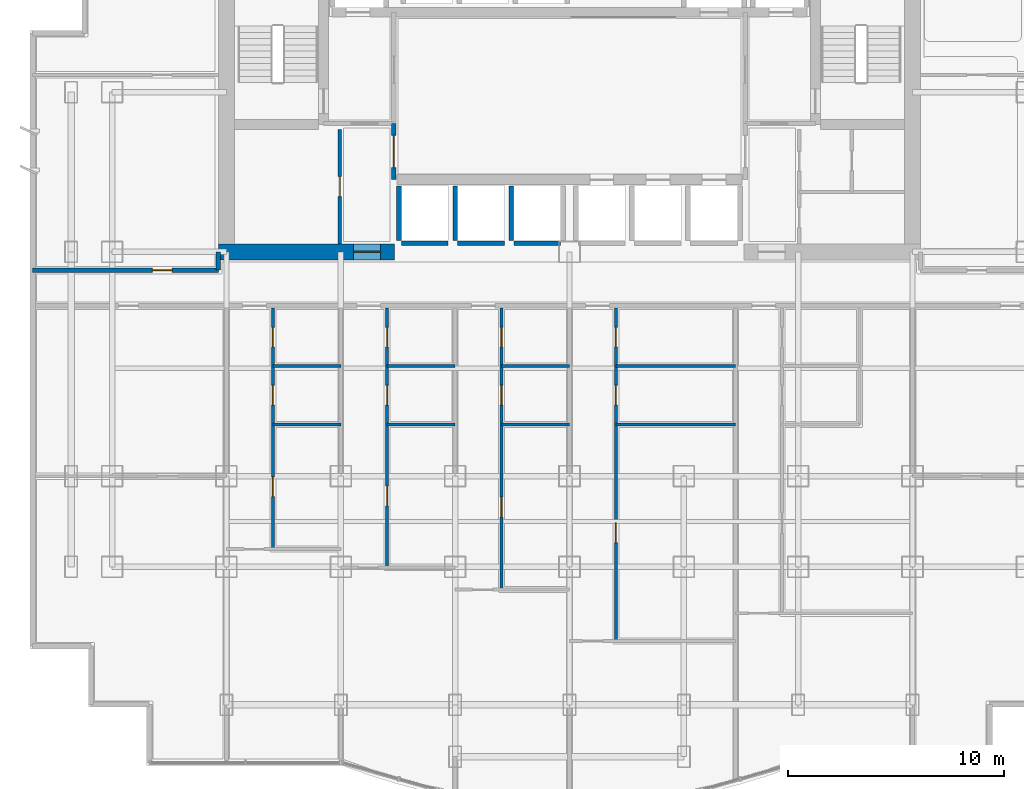
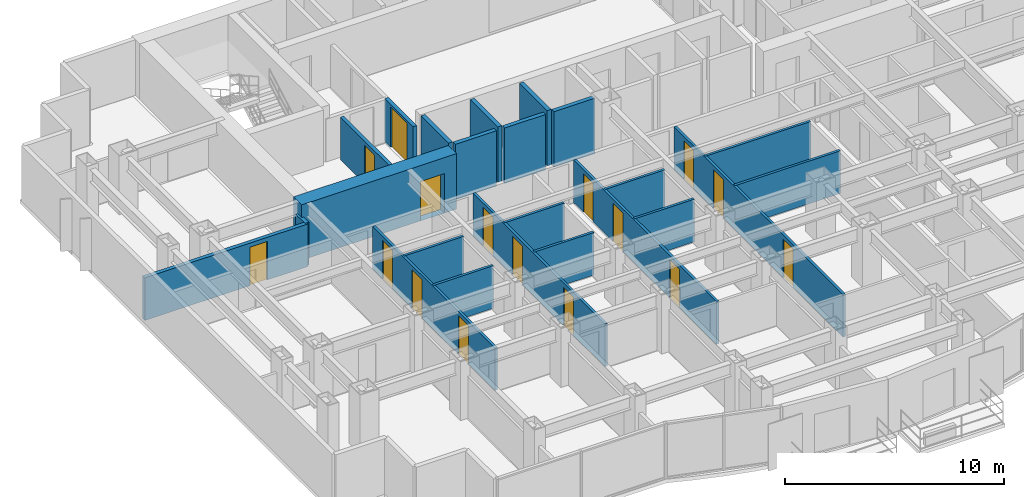
# One storey, part 7 of 12: 23 walls, 16 doors, 16 openings.
"""IFC4 building model written with IfcOpenShell, lengths in metres."""

from ifc_helpers import new_model, si_unit, direction, frame, frame_2d, origin, place, context, subcontext, project, spatial, rectangle, extrude, material, layer, layer_set, type_object, element, fill, save


model = new_model("IFC4")

# Units and contexts
model_context = context("Model", 3, precision=1e-05, world=origin(), true_north=direction((0.0, 1.0)))
body_context = subcontext(model_context, "Body", "Model", "MODEL_VIEW")
ifc_project = project(units=[si_unit("LENGTHUNIT", "METRE"), si_unit("AREAUNIT", "SQUARE_METRE"), si_unit("VOLUMEUNIT", "CUBIC_METRE"), si_unit("PLANEANGLEUNIT", "RADIAN"), si_unit("MASSUNIT", "GRAM", prefix="KILO")], contexts=[model_context])

# Site, building, storey
site_placement = place(None, origin())
site = spatial("IfcSite", under=ifc_project, at=site_placement, CompositionType="ELEMENT")
building_placement = place(site_placement, origin())
building = spatial("IfcBuilding", under=site, at=building_placement, Name="Qianlan Lanfeng Residences", CompositionType="ELEMENT")
storey_placement = place(building_placement, frame((0.0, 0.0, 81.699951171875)))
storey = spatial("IfcBuildingStorey", under=building, at=storey_placement, Name="L21", CompositionType="ELEMENT", Elevation=81.699951171875)

# Wall, opening, door
ifc_material_1 = material(Name="Concrete C60", Category="concrete")
ifc_layer_1 = layer(ifc_material_1, 0.75)
ifc_layer_set_1 = layer_set([ifc_layer_1], Name="Concrete C60")
wall_type_1 = type_object("IfcWallType", Name="CW-RC-750", PredefinedType="SHEAR", material=ifc_layer_set_1)
wall_1_placement = place(storey_placement, frame((10.22509765625, 25.199951171875, 0.0), z_axis=(0.0, 0.0, 1.0), x_axis=(1.0, 0.0, 0.0)))
wall_1 = element("IfcWall", 1, at=wall_1_placement, inside=storey, type_object=wall_type_1, Name="L21 Core Shear Wall SW", PredefinedType="SHEAR", context=body_context, shape_type="SweptSolid", body=[
    extrude(rectangle(XDim=8.1748046875, YDim=0.75, at=frame_2d((4.08740234375, 0.0))), origin(), (0.0, 0.0, 1.0), 3.090087890625),
])
opening_1_placement = place(wall_1_placement, frame((6.27490234375, 0.0, 0.0)))
opening_1 = element("IfcOpeningElement", 2, at=opening_1_placement, cuts=wall_1, Name="Opening L21-D01", PredefinedType="OPENING", context=body_context, shape_type="SweptSolid", body=[
    extrude(rectangle(XDim=1.25, YDim=2.199951171875, at=frame_2d((0.625, 1.10009765625))), frame((0.0, 0.385009765625, 0.0), z_axis=(0.0, -1.0, 0.0), x_axis=(1.0, 0.0, 0.0)), (0.0, 0.0, 1.0), 0.77001953125),
])
ifc_material_2 = material(Name="Painted Galvanised Steel Fire Door", Category="steel")
door_type_1 = type_object("IfcDoorType", Name="DT-FFL", OperationType="NOTDEFINED", PredefinedType="DOOR", material=ifc_material_2)
door_1_placement = place(opening_1_placement, frame((1.25, 0.0, 0.0), z_axis=(0.0, 0.0, 1.0), x_axis=(-1.0, 0.0, 0.0)))
door_1 = element("IfcDoor", 3, at=door_1_placement, inside=storey, type_object=door_type_1, Name="L21 West Core Lobby Smoke Door L21-D01 (DT-FFL)", OperationType="SINGLE_SWING_RIGHT", OverallHeight=2.199951171875, OverallWidth=1.25, PredefinedType="DOOR", context=body_context, shape_type="SweptSolid", body=[
    extrude(rectangle(XDim=1.25, YDim=2.199951171875, at=frame_2d((0.625, 1.10009765625))), frame((0.0, 0.02490234375, 0.0), z_axis=(0.0, -1.0, 0.0), x_axis=(1.0, 0.0, 0.0)), (0.0, 0.0, 1.0), 0.050048828125),
])
fill(opening_1, door_1)

# Wall, openings, doors
ifc_material_3 = material(Name="Moisture-Resistant Gypsum Partition 135 mm")
ifc_layer_2 = layer(ifc_material_3, 0.135009765625)
ifc_layer_set_2 = layer_set([ifc_layer_2], Name="Moisture-Resistant Gypsum Partition 135 mm")
wall_type_2 = type_object("IfcWallType", Name="PW-135", PredefinedType="PARTITIONING", material=ifc_layer_set_2)
wall_2_placement = place(storey_placement, frame((12.75, 11.419921875, 0.0), z_axis=(0.0, 0.0, 1.0), x_axis=(0.0, 1.0, 0.0)))
wall_2 = element("IfcWall", 4, at=wall_2_placement, inside=storey, type_object=wall_type_2, Name="L21 U01 Entry Hall Spine", PredefinedType="PARTITIONING", context=body_context, shape_type="SweptSolid", body=[
    extrude(rectangle(XDim=11.18017578125, YDim=0.135009765625, at=frame_2d((5.590087890625, 0.0))), origin(), (0.0, 0.0, 1.0), 2.380126953125),
])
opening_2_placement = place(wall_2_placement, frame((2.429931640625, 0.0, 0.0)))
opening_2 = element("IfcOpeningElement", 5, at=opening_2_placement, cuts=wall_2, Name="Opening L21-D17", PredefinedType="OPENING", context=body_context, shape_type="SweptSolid", body=[
    extrude(rectangle(XDim=0.919921875, YDim=2.14990234375, at=frame_2d((0.4599609375, 1.074951171875))), frame((0.0, 0.07763671875, 0.0), z_axis=(0.0, -1.0, 0.0), x_axis=(1.0, 0.0, 0.0)), (0.0, 0.0, 1.0), 0.155029296875),
])
opening_3_placement = place(wall_2_placement, frame((6.669921875, 0.0, 0.0)))
opening_3 = element("IfcOpeningElement", 6, at=opening_3_placement, cuts=wall_2, Name="Opening L21-D18", PredefinedType="OPENING", context=body_context, shape_type="SweptSolid", body=[
    extrude(rectangle(XDim=0.919921875, YDim=2.14990234375, at=frame_2d((0.4599609375, 1.074951171875))), frame((0.0, 0.07763671875, 0.0), z_axis=(0.0, -1.0, 0.0), x_axis=(1.0, 0.0, 0.0)), (0.0, 0.0, 1.0), 0.155029296875),
])
opening_4_placement = place(wall_2_placement, frame((9.3798828125, 0.0, 0.0)))
opening_4 = element("IfcOpeningElement", 7, at=opening_4_placement, cuts=wall_2, Name="Opening L21-D19", PredefinedType="OPENING", context=body_context, shape_type="SweptSolid", body=[
    extrude(rectangle(XDim=0.89990234375, YDim=2.14990234375, at=frame_2d((0.449951171875, 1.074951171875))), frame((0.0, 0.07763671875, 0.0), z_axis=(0.0, -1.0, 0.0), x_axis=(1.0, 0.0, 0.0)), (0.0, 0.0, 1.0), 0.155029296875),
])
ifc_material_4 = material(Name="Glazed Timber Kitchen/Study Door", Category="wood")
door_type_2 = type_object("IfcDoorType", Name="DT-INT", OperationType="NOTDEFINED", PredefinedType="DOOR", material=ifc_material_4)
door_2_placement = place(opening_2_placement, origin())
door_2 = element("IfcDoor", 8, at=door_2_placement, inside=storey, type_object=door_type_2, Name="L21 U01 Study Door L21-D17 (DT-INT)", OperationType="SINGLE_SWING_RIGHT", OverallHeight=2.14990234375, OverallWidth=0.919921875, PredefinedType="DOOR", context=body_context, shape_type="SweptSolid", body=[
    extrude(rectangle(XDim=0.919921875, YDim=2.14990234375, at=frame_2d((0.4599609375, 1.074951171875))), frame((0.0, 0.02490234375, 0.0), z_axis=(0.0, -1.0, 0.0), x_axis=(1.0, 0.0, 0.0)), (0.0, 0.0, 1.0), 0.050048828125),
])
fill(opening_2, door_2)
door_3_placement = place(opening_3_placement, origin())
door_3 = element("IfcDoor", 9, at=door_3_placement, inside=storey, type_object=door_type_2, Name="L21 U01 Kitchen Door L21-D18 (DT-INT)", OperationType="SINGLE_SWING_LEFT", OverallHeight=2.14990234375, OverallWidth=0.919921875, PredefinedType="DOOR", context=body_context, shape_type="SweptSolid", body=[
    extrude(rectangle(XDim=0.919921875, YDim=2.14990234375, at=frame_2d((0.4599609375, 1.074951171875))), frame((0.0, 0.02490234375, 0.0), z_axis=(0.0, -1.0, 0.0), x_axis=(1.0, 0.0, 0.0)), (0.0, 0.0, 1.0), 0.050048828125),
])
fill(opening_3, door_3)
ifc_material_5 = material(Name="Moisture-Resistant Timber Leaf", Category="wood")
door_type_3 = type_object("IfcDoorType", Name="DT-WC", OperationType="NOTDEFINED", PredefinedType="DOOR", material=ifc_material_5)
door_4_placement = place(opening_4_placement, origin())
door_4 = element("IfcDoor", 10, at=door_4_placement, inside=storey, type_object=door_type_3, Name="L21 U01 Bathroom Door L21-D19 (DT-WC)", OperationType="SINGLE_SWING_RIGHT", OverallHeight=2.14990234375, OverallWidth=0.89990234375, PredefinedType="DOOR", context=body_context, shape_type="SweptSolid", body=[
    extrude(rectangle(XDim=0.89990234375, YDim=2.14990234375, at=frame_2d((0.449951171875, 1.074951171875))), frame((0.0, 0.02490234375, 0.0), z_axis=(0.0, -1.0, 0.0), x_axis=(1.0, 0.0, 0.0)), (0.0, 0.0, 1.0), 0.050048828125),
])
fill(opening_4, door_4)

# Walls
for number, where, z_axis, x_axis, name in (
    (11, (12.75, 17.199951171875, 0.0), (0.0, 0.0, 1.0), (1.0, 0.0, 0.0), "L21 U01 Kitchen South Wall"),
    (12, (12.75, 19.89990234375, 0.0), (0.0, 0.0, 1.0), (1.0, 0.0, 0.0), "L21 U01 Bathroom South Wall"),
):
    element("IfcWall", number, at=place(storey_placement, frame(where, z_axis=z_axis, x_axis=x_axis)), inside=storey, type_object=wall_type_2, Name=name, PredefinedType="PARTITIONING", context=body_context, shape_type="SweptSolid", body=[
        extrude(rectangle(XDim=3.14990234375, YDim=0.135009765625, at=frame_2d((1.574951171875, 0.0))), origin(), (0.0, 0.0, 1.0), 2.380126953125),
    ])

# Wall, openings, doors
wall_3_placement = place(storey_placement, frame((18.050048828125, 10.56005859375, 0.0), z_axis=(0.0, 0.0, 1.0), x_axis=(0.0, 1.0, 0.0)))
wall_3 = element("IfcWall", 13, at=wall_3_placement, inside=storey, type_object=wall_type_2, Name="L21 U02 Entry Hall Spine", PredefinedType="PARTITIONING", context=body_context, shape_type="SweptSolid", body=[
    extrude(rectangle(XDim=12.0400390625, YDim=0.135009765625, at=frame_2d((6.02001953125, 0.0))), origin(), (0.0, 0.0, 1.0), 2.380126953125),
])
opening_5_placement = place(wall_3_placement, frame((2.860107421875, 0.0, 0.0)))
opening_5 = element("IfcOpeningElement", 14, at=opening_5_placement, cuts=wall_3, Name="Opening L21-D22", PredefinedType="OPENING", context=body_context, shape_type="SweptSolid", body=[
    extrude(rectangle(XDim=0.919921875, YDim=2.14990234375, at=frame_2d((0.4599609375, 1.074951171875))), frame((0.0, 0.07763671875, 0.0), z_axis=(0.0, -1.0, 0.0), x_axis=(1.0, 0.0, 0.0)), (0.0, 0.0, 1.0), 0.155029296875),
])
opening_6_placement = place(wall_3_placement, frame((7.530029296875, 0.0, 0.0)))
opening_6 = element("IfcOpeningElement", 15, at=opening_6_placement, cuts=wall_3, Name="Opening L21-D23", PredefinedType="OPENING", context=body_context, shape_type="SweptSolid", body=[
    extrude(rectangle(XDim=0.919921875, YDim=2.14990234375, at=frame_2d((0.4599609375, 1.074951171875))), frame((0.0, 0.07763671875, 0.0), z_axis=(0.0, -1.0, 0.0), x_axis=(1.0, 0.0, 0.0)), (0.0, 0.0, 1.0), 0.155029296875),
])
opening_7_placement = place(wall_3_placement, frame((10.239990234375, 0.0, 0.0)))
opening_7 = element("IfcOpeningElement", 16, at=opening_7_placement, cuts=wall_3, Name="Opening L21-D24", PredefinedType="OPENING", context=body_context, shape_type="SweptSolid", body=[
    extrude(rectangle(XDim=0.89990234375, YDim=2.14990234375, at=frame_2d((0.449951171875, 1.074951171875))), frame((0.0, 0.07763671875, 0.0), z_axis=(0.0, -1.0, 0.0), x_axis=(1.0, 0.0, 0.0)), (0.0, 0.0, 1.0), 0.155029296875),
])
door_5_placement = place(opening_5_placement, origin())
door_5 = element("IfcDoor", 17, at=door_5_placement, inside=storey, type_object=door_type_2, Name="L21 U02 Study Door L21-D22 (DT-INT)", OperationType="SINGLE_SWING_LEFT", OverallHeight=2.14990234375, OverallWidth=0.919921875, PredefinedType="DOOR", context=body_context, shape_type="SweptSolid", body=[
    extrude(rectangle(XDim=0.919921875, YDim=2.14990234375, at=frame_2d((0.4599609375, 1.074951171875))), frame((0.0, 0.02490234375, 0.0), z_axis=(0.0, -1.0, 0.0), x_axis=(1.0, 0.0, 0.0)), (0.0, 0.0, 1.0), 0.050048828125),
])
fill(opening_5, door_5)
door_6_placement = place(opening_6_placement, origin())
door_6 = element("IfcDoor", 18, at=door_6_placement, inside=storey, type_object=door_type_2, Name="L21 U02 Kitchen Door L21-D23 (DT-INT)", OperationType="SINGLE_SWING_RIGHT", OverallHeight=2.14990234375, OverallWidth=0.919921875, PredefinedType="DOOR", context=body_context, shape_type="SweptSolid", body=[
    extrude(rectangle(XDim=0.919921875, YDim=2.14990234375, at=frame_2d((0.4599609375, 1.074951171875))), frame((0.0, 0.02490234375, 0.0), z_axis=(0.0, -1.0, 0.0), x_axis=(1.0, 0.0, 0.0)), (0.0, 0.0, 1.0), 0.050048828125),
])
fill(opening_6, door_6)
door_7_placement = place(opening_7_placement, origin())
door_7 = element("IfcDoor", 19, at=door_7_placement, inside=storey, type_object=door_type_3, Name="L21 U02 Bathroom Door L21-D24 (DT-WC)", OperationType="SINGLE_SWING_LEFT", OverallHeight=2.14990234375, OverallWidth=0.89990234375, PredefinedType="DOOR", context=body_context, shape_type="SweptSolid", body=[
    extrude(rectangle(XDim=0.89990234375, YDim=2.14990234375, at=frame_2d((0.449951171875, 1.074951171875))), frame((0.0, 0.02490234375, 0.0), z_axis=(0.0, -1.0, 0.0), x_axis=(1.0, 0.0, 0.0)), (0.0, 0.0, 1.0), 0.050048828125),
])
fill(opening_7, door_7)

# Walls
for number, where, z_axis, x_axis, name in (
    (20, (18.050048828125, 17.199951171875, 0.0), (0.0, 0.0, 1.0), (1.0, 0.0, 0.0), "L21 U02 Kitchen South Wall"),
    (21, (18.050048828125, 19.89990234375, 0.0), (0.0, 0.0, 1.0), (1.0, 0.0, 0.0), "L21 U02 Bathroom South Wall"),
):
    element("IfcWall", number, at=place(storey_placement, frame(where, z_axis=z_axis, x_axis=x_axis)), inside=storey, type_object=wall_type_2, Name=name, PredefinedType="PARTITIONING", context=body_context, shape_type="SweptSolid", body=[
        extrude(rectangle(XDim=3.14990234375, YDim=0.135009765625, at=frame_2d((1.574951171875, 0.0))), origin(), (0.0, 0.0, 1.0), 2.380126953125),
    ])

# Wall, openings, doors
wall_4_placement = place(storey_placement, frame((23.35009765625, 9.547119140625, 0.0), z_axis=(0.0, 0.0, 1.0), x_axis=(0.0, 1.0, 0.0)))
wall_4 = element("IfcWall", 22, at=wall_4_placement, inside=storey, type_object=wall_type_2, Name="L21 U03 Entry Hall Spine", PredefinedType="PARTITIONING", context=body_context, shape_type="SweptSolid", body=[
    extrude(rectangle(XDim=13.052978515625, YDim=0.135009765625, at=frame_2d((6.5263671875, 0.0))), origin(), (0.0, 0.0, 1.0), 2.380126953125),
])
opening_8_placement = place(wall_4_placement, frame((3.365966796875, 0.0, 0.0)))
opening_8 = element("IfcOpeningElement", 23, at=opening_8_placement, cuts=wall_4, Name="Opening L21-D27", PredefinedType="OPENING", context=body_context, shape_type="SweptSolid", body=[
    extrude(rectangle(XDim=0.919921875, YDim=2.14990234375, at=frame_2d((0.4599609375, 1.074951171875))), frame((0.0, 0.07763671875, 0.0), z_axis=(0.0, -1.0, 0.0), x_axis=(1.0, 0.0, 0.0)), (0.0, 0.0, 1.0), 0.155029296875),
])
opening_9_placement = place(wall_4_placement, frame((8.54296875, 0.0, 0.0)))
opening_9 = element("IfcOpeningElement", 24, at=opening_9_placement, cuts=wall_4, Name="Opening L21-D28", PredefinedType="OPENING", context=body_context, shape_type="SweptSolid", body=[
    extrude(rectangle(XDim=0.919921875, YDim=2.14990234375, at=frame_2d((0.4599609375, 1.074951171875))), frame((0.0, 0.07763671875, 0.0), z_axis=(0.0, -1.0, 0.0), x_axis=(1.0, 0.0, 0.0)), (0.0, 0.0, 1.0), 0.155029296875),
])
opening_10_placement = place(wall_4_placement, frame((11.2529296875, 0.0, 0.0)))
opening_10 = element("IfcOpeningElement", 25, at=opening_10_placement, cuts=wall_4, Name="Opening L21-D29", PredefinedType="OPENING", context=body_context, shape_type="SweptSolid", body=[
    extrude(rectangle(XDim=0.89990234375, YDim=2.14990234375, at=frame_2d((0.449951171875, 1.074951171875))), frame((0.0, 0.07763671875, 0.0), z_axis=(0.0, -1.0, 0.0), x_axis=(1.0, 0.0, 0.0)), (0.0, 0.0, 1.0), 0.155029296875),
])
door_8_placement = place(opening_8_placement, origin())
door_8 = element("IfcDoor", 26, at=door_8_placement, inside=storey, type_object=door_type_2, Name="L21 U03 Study Door L21-D27 (DT-INT)", OperationType="SINGLE_SWING_RIGHT", OverallHeight=2.14990234375, OverallWidth=0.919921875, PredefinedType="DOOR", context=body_context, shape_type="SweptSolid", body=[
    extrude(rectangle(XDim=0.919921875, YDim=2.14990234375, at=frame_2d((0.4599609375, 1.074951171875))), frame((0.0, 0.02490234375, 0.0), z_axis=(0.0, -1.0, 0.0), x_axis=(1.0, 0.0, 0.0)), (0.0, 0.0, 1.0), 0.050048828125),
])
fill(opening_8, door_8)
door_9_placement = place(opening_9_placement, origin())
door_9 = element("IfcDoor", 27, at=door_9_placement, inside=storey, type_object=door_type_2, Name="L21 U03 Kitchen Door L21-D28 (DT-INT)", OperationType="SINGLE_SWING_LEFT", OverallHeight=2.14990234375, OverallWidth=0.919921875, PredefinedType="DOOR", context=body_context, shape_type="SweptSolid", body=[
    extrude(rectangle(XDim=0.919921875, YDim=2.14990234375, at=frame_2d((0.4599609375, 1.074951171875))), frame((0.0, 0.02490234375, 0.0), z_axis=(0.0, -1.0, 0.0), x_axis=(1.0, 0.0, 0.0)), (0.0, 0.0, 1.0), 0.050048828125),
])
fill(opening_9, door_9)
door_10_placement = place(opening_10_placement, origin())
door_10 = element("IfcDoor", 28, at=door_10_placement, inside=storey, type_object=door_type_3, Name="L21 U03 Bathroom Door L21-D29 (DT-WC)", OperationType="SINGLE_SWING_RIGHT", OverallHeight=2.14990234375, OverallWidth=0.89990234375, PredefinedType="DOOR", context=body_context, shape_type="SweptSolid", body=[
    extrude(rectangle(XDim=0.89990234375, YDim=2.14990234375, at=frame_2d((0.449951171875, 1.074951171875))), frame((0.0, 0.02490234375, 0.0), z_axis=(0.0, -1.0, 0.0), x_axis=(1.0, 0.0, 0.0)), (0.0, 0.0, 1.0), 0.050048828125),
])
fill(opening_10, door_10)

# Walls
for number, where, z_axis, x_axis, name in (
    (29, (23.35009765625, 17.199951171875, 0.0), (0.0, 0.0, 1.0), (1.0, 0.0, 0.0), "L21 U03 Kitchen South Wall"),
    (30, (23.35009765625, 19.89990234375, 0.0), (0.0, 0.0, 1.0), (1.0, 0.0, 0.0), "L21 U03 Bathroom South Wall"),
):
    element("IfcWall", number, at=place(storey_placement, frame(where, z_axis=z_axis, x_axis=x_axis)), inside=storey, type_object=wall_type_2, Name=name, PredefinedType="PARTITIONING", context=body_context, shape_type="SweptSolid", body=[
        extrude(rectangle(XDim=3.14990234375, YDim=0.135009765625, at=frame_2d((1.574951171875, 0.0))), origin(), (0.0, 0.0, 1.0), 2.380126953125),
    ])

# Wall, openings, doors
wall_5_placement = place(storey_placement, frame((28.64990234375, 7.162109375, 0.0), z_axis=(0.0, 0.0, 1.0), x_axis=(0.0, 1.0, 0.0)))
wall_5 = element("IfcWall", 31, at=wall_5_placement, inside=storey, type_object=wall_type_2, Name="L21 U04 Entry Hall Spine", PredefinedType="PARTITIONING", context=body_context, shape_type="SweptSolid", body=[
    extrude(rectangle(XDim=15.43798828125, YDim=0.135009765625, at=frame_2d((7.718994140625, 0.0))), origin(), (0.0, 0.0, 1.0), 2.380126953125),
])
opening_11_placement = place(wall_5_placement, frame((4.55908203125, 0.0, 0.0)))
opening_11 = element("IfcOpeningElement", 32, at=opening_11_placement, cuts=wall_5, Name="Opening L21-D32", PredefinedType="OPENING", context=body_context, shape_type="SweptSolid", body=[
    extrude(rectangle(XDim=0.919921875, YDim=2.14990234375, at=frame_2d((0.4599609375, 1.074951171875))), frame((0.0, 0.07763671875, 0.0), z_axis=(0.0, -1.0, 0.0), x_axis=(1.0, 0.0, 0.0)), (0.0, 0.0, 1.0), 0.155029296875),
])
opening_12_placement = place(wall_5_placement, frame((10.927978515625, 0.0, 0.0)))
opening_12 = element("IfcOpeningElement", 33, at=opening_12_placement, cuts=wall_5, Name="Opening L21-D33", PredefinedType="OPENING", context=body_context, shape_type="SweptSolid", body=[
    extrude(rectangle(XDim=0.919921875, YDim=2.14990234375, at=frame_2d((0.4599609375, 1.074951171875))), frame((0.0, 0.07763671875, 0.0), z_axis=(0.0, -1.0, 0.0), x_axis=(1.0, 0.0, 0.0)), (0.0, 0.0, 1.0), 0.155029296875),
])
opening_13_placement = place(wall_5_placement, frame((13.637939453125, 0.0, 0.0)))
opening_13 = element("IfcOpeningElement", 34, at=opening_13_placement, cuts=wall_5, Name="Opening L21-D34", PredefinedType="OPENING", context=body_context, shape_type="SweptSolid", body=[
    extrude(rectangle(XDim=0.89990234375, YDim=2.14990234375, at=frame_2d((0.449951171875, 1.074951171875))), frame((0.0, 0.07763671875, 0.0), z_axis=(0.0, -1.0, 0.0), x_axis=(1.0, 0.0, 0.0)), (0.0, 0.0, 1.0), 0.155029296875),
])
door_11_placement = place(opening_11_placement, origin())
door_11 = element("IfcDoor", 35, at=door_11_placement, inside=storey, type_object=door_type_2, Name="L21 U04 Study Door L21-D32 (DT-INT)", OperationType="SINGLE_SWING_LEFT", OverallHeight=2.14990234375, OverallWidth=0.919921875, PredefinedType="DOOR", context=body_context, shape_type="SweptSolid", body=[
    extrude(rectangle(XDim=0.919921875, YDim=2.14990234375, at=frame_2d((0.4599609375, 1.074951171875))), frame((0.0, 0.02490234375, 0.0), z_axis=(0.0, -1.0, 0.0), x_axis=(1.0, 0.0, 0.0)), (0.0, 0.0, 1.0), 0.050048828125),
])
fill(opening_11, door_11)
door_12_placement = place(opening_12_placement, origin())
door_12 = element("IfcDoor", 36, at=door_12_placement, inside=storey, type_object=door_type_2, Name="L21 U04 Kitchen Door L21-D33 (DT-INT)", OperationType="SINGLE_SWING_RIGHT", OverallHeight=2.14990234375, OverallWidth=0.919921875, PredefinedType="DOOR", context=body_context, shape_type="SweptSolid", body=[
    extrude(rectangle(XDim=0.919921875, YDim=2.14990234375, at=frame_2d((0.4599609375, 1.074951171875))), frame((0.0, 0.02490234375, 0.0), z_axis=(0.0, -1.0, 0.0), x_axis=(1.0, 0.0, 0.0)), (0.0, 0.0, 1.0), 0.050048828125),
])
fill(opening_12, door_12)
door_13_placement = place(opening_13_placement, origin())
door_13 = element("IfcDoor", 37, at=door_13_placement, inside=storey, type_object=door_type_3, Name="L21 U04 Bathroom Door L21-D34 (DT-WC)", OperationType="SINGLE_SWING_LEFT", OverallHeight=2.14990234375, OverallWidth=0.89990234375, PredefinedType="DOOR", context=body_context, shape_type="SweptSolid", body=[
    extrude(rectangle(XDim=0.89990234375, YDim=2.14990234375, at=frame_2d((0.449951171875, 1.074951171875))), frame((0.0, 0.02490234375, 0.0), z_axis=(0.0, -1.0, 0.0), x_axis=(1.0, 0.0, 0.0)), (0.0, 0.0, 1.0), 0.050048828125),
])
fill(opening_13, door_13)

# Walls
for number, where, z_axis, x_axis, name in (
    (38, (28.64990234375, 17.199951171875, 0.0), (0.0, 0.0, 1.0), (1.0, 0.0, 0.0), "L21 U04 Kitchen South Wall"),
    (39, (28.64990234375, 19.89990234375, 0.0), (0.0, 0.0, 1.0), (1.0, 0.0, 0.0), "L21 U04 Bathroom South Wall"),
):
    element("IfcWall", number, at=place(storey_placement, frame(where, z_axis=z_axis, x_axis=x_axis)), inside=storey, type_object=wall_type_2, Name=name, PredefinedType="PARTITIONING", context=body_context, shape_type="SweptSolid", body=[
        extrude(rectangle(XDim=5.550048828125, YDim=0.135009765625, at=frame_2d((2.77490234375, 0.0))), origin(), (0.0, 0.0, 1.0), 2.380126953125),
    ])

# Wall, opening, door
ifc_material_6 = material(Name="Double-Layer Acoustic Gypsum Stud Wall 180 mm")
ifc_layer_3 = layer(ifc_material_6, 0.179931640625)
ifc_layer_set_3 = layer_set([ifc_layer_3], Name="Double-Layer Acoustic Gypsum Stud Wall 180 mm")
wall_type_3 = type_object("IfcWallType", Name="PW-180", PredefinedType="PARTITIONING", material=ifc_layer_set_3)
wall_6_placement = place(storey_placement, frame((15.85009765625, 25.574951171875, 0.0), z_axis=(0.0, 0.0, 1.0), x_axis=(0.0, 1.0, 0.0)))
wall_6 = element("IfcWall", 40, at=wall_6_placement, inside=storey, type_object=wall_type_3, Name="L21 Core West Service Room Wall", PredefinedType="PARTITIONING", context=body_context, shape_type="SweptSolid", body=[
    extrude(rectangle(XDim=5.300048828125, YDim=0.179931640625, at=frame_2d((2.64990234375, 0.0))), origin(), (0.0, 0.0, 1.0), 2.380126953125),
])
opening_14_placement = place(wall_6_placement, frame((2.18994140625, 0.0, 0.0)))
opening_14 = element("IfcOpeningElement", 41, at=opening_14_placement, cuts=wall_6, Name="Opening L21-D09", PredefinedType="OPENING", context=body_context, shape_type="SweptSolid", body=[
    extrude(rectangle(XDim=0.919921875, YDim=2.14990234375, at=frame_2d((0.4599609375, 1.074951171875))), frame((0.0, 0.10009765625, 0.0), z_axis=(0.0, -1.0, 0.0), x_axis=(1.0, 0.0, 0.0)), (0.0, 0.0, 1.0), 0.199951171875),
])
door_14_placement = place(opening_14_placement, origin())
door_14 = element("IfcDoor", 42, at=door_14_placement, inside=storey, type_object=door_type_2, Name="L21 Storage Room Door L21-D09 (DT-INT)", OperationType="SINGLE_SWING_RIGHT", OverallHeight=2.14990234375, OverallWidth=0.919921875, PredefinedType="DOOR", context=body_context, shape_type="SweptSolid", body=[
    extrude(rectangle(XDim=0.919921875, YDim=2.14990234375, at=frame_2d((0.4599609375, 1.074951171875))), frame((0.0, 0.02490234375, 0.0), z_axis=(0.0, -1.0, 0.0), x_axis=(1.0, 0.0, 0.0)), (0.0, 0.0, 1.0), 0.050048828125),
])
fill(opening_14, door_14)

ifc_material_7 = material(Name="Autoclaved Aerated Concrete Blockwork 200 mm", Category="masonry")
ifc_layer_4 = layer(ifc_material_7, 0.199951171875)
ifc_layer_set_4 = layer_set([ifc_layer_4], Name="Autoclaved Aerated Concrete Blockwork 200 mm")
wall_type_4 = type_object("IfcWallType", Name="PW-200", PredefinedType="PARTITIONING", material=ifc_layer_set_4)
wall_7_placement = place(storey_placement, frame((18.35009765625, 28.550048828125, 0.0), z_axis=(0.0, 0.0, 1.0), x_axis=(0.0, 1.0, 0.0)))
wall_7 = element("IfcWall", 43, at=wall_7_placement, inside=storey, type_object=wall_type_4, Name="L21 Lift Lobby West Connector Wall", PredefinedType="PARTITIONING", context=body_context, shape_type="SweptSolid", body=[
    extrude(rectangle(XDim=2.599853515625, YDim=0.199951171875, at=frame_2d((1.2998046875, 0.0))), origin(), (0.0, 0.0, 1.0), 2.380126953125),
])
opening_15_placement = place(wall_7_placement, frame((0.550048828125, 0.0, 0.0)))
opening_15 = element("IfcOpeningElement", 44, at=opening_15_placement, cuts=wall_7, Name="Opening L21-D13", PredefinedType="OPENING", context=body_context, shape_type="SweptSolid", body=[
    extrude(rectangle(XDim=1.5, YDim=2.25, at=frame_2d((0.75, 1.125))), frame((0.0, 0.10986328125, 0.0), z_axis=(0.0, -1.0, 0.0), x_axis=(1.0, 0.0, 0.0)), (0.0, 0.0, 1.0), 0.219970703125),
])
ifc_material_8 = material(Name="Timber Veneer Acoustic Fire Door", Category="wood")
door_type_4 = type_object("IfcDoorType", Name="DT-COR1", OperationType="NOTDEFINED", PredefinedType="DOOR", material=ifc_material_8)
door_15_placement = place(opening_15_placement, origin())
door_15 = element("IfcDoor", 45, at=door_15_placement, inside=storey, type_object=door_type_4, Name="L21 Lift Lobby West Portal Door L21-D13 (DT-COR1)", OperationType="DOUBLE_DOOR_SINGLE_SWING", OverallHeight=2.25, OverallWidth=1.5, PredefinedType="DOOR", context=body_context, shape_type="SweptSolid", body=[
    extrude(rectangle(XDim=1.5, YDim=2.25, at=frame_2d((0.75, 1.125))), frame((0.0, 0.02490234375, 0.0), z_axis=(0.0, -1.0, 0.0), x_axis=(1.0, 0.0, 0.0)), (0.0, 0.0, 1.0), 0.050048828125),
])
fill(opening_15, door_15)

wall_8_placement = place(storey_placement, frame((1.6201171875, 24.35009765625, 0.0), z_axis=(0.0, 0.0, 1.0), x_axis=(1.0, 0.0, 0.0)))
wall_8 = element("IfcWall", 46, at=wall_8_placement, inside=storey, type_object=wall_type_4, Name="L21 Corridor NW Wall", PredefinedType="PARTITIONING", context=body_context, shape_type="SweptSolid", body=[
    extrude(rectangle(XDim=8.60498046875, YDim=0.199951171875, at=frame_2d((4.302490234375, 0.0))), origin(), (0.0, 0.0, 1.0), 2.380126953125),
])
opening_16_placement = place(wall_8_placement, frame((5.5419921875, 0.0, 0.0)))
opening_16 = element("IfcOpeningElement", 47, at=opening_16_placement, cuts=wall_8, Name="Opening L21-D45", PredefinedType="OPENING", context=body_context, shape_type="SweptSolid", body=[
    extrude(rectangle(XDim=0.919921875, YDim=2.14990234375, at=frame_2d((0.4599609375, 1.074951171875))), frame((0.0, 0.10986328125, 0.0), z_axis=(0.0, -1.0, 0.0), x_axis=(1.0, 0.0, 0.0)), (0.0, 0.0, 1.0), 0.219970703125),
])
door_16_placement = place(opening_16_placement, origin())
door_16 = element("IfcDoor", 48, at=door_16_placement, inside=storey, type_object=door_type_2, Name="L21 WW Amenity Salon Door L21-D45 (DT-INT)", OperationType="SINGLE_SWING_RIGHT", OverallHeight=2.14990234375, OverallWidth=0.919921875, PredefinedType="DOOR", context=body_context, shape_type="SweptSolid", body=[
    extrude(rectangle(XDim=0.919921875, YDim=2.14990234375, at=frame_2d((0.4599609375, 1.074951171875))), frame((0.0, 0.02490234375, 0.0), z_axis=(0.0, -1.0, 0.0), x_axis=(1.0, 0.0, 0.0)), (0.0, 0.0, 1.0), 0.050048828125),
])
fill(opening_16, door_16)

# Walls
wall_9_placement = place(storey_placement, frame((10.22509765625, 24.35009765625, 0.0), z_axis=(0.0, 0.0, 1.0), x_axis=(0.0, 1.0, 0.0)))
element("IfcWall", 49, at=wall_9_placement, inside=storey, type_object=wall_type_4, Name="L21 NW Wing Core Return Wall", PredefinedType="PARTITIONING", context=body_context, shape_type="SweptSolid", body=[
    extrude(rectangle(XDim=0.849853515625, YDim=0.199951171875, at=frame_2d((0.4248046875, 0.0))), origin(), (0.0, 0.0, 1.0), 2.380126953125),
])
ifc_material_9 = material(Name="Concrete C49", Category="concrete")
ifc_layer_5 = layer(ifc_material_9, 0.219970703125)
ifc_layer_set_5 = layer_set([ifc_layer_5], Name="Concrete C49")
wall_type_5 = type_object("IfcWallType", Name="SHW-220", PredefinedType="SOLIDWALL", material=ifc_layer_set_5)
wall_10_placement = place(storey_placement, frame((18.60009765625, 25.719970703125, 0.0), z_axis=(0.0, 0.0, 1.0), x_axis=(0.0, 1.0, 0.0)))
element("IfcWall", 50, at=wall_10_placement, inside=storey, type_object=wall_type_5, Name="L21 Lift PL-L1 Shaft Wall W", PredefinedType="SOLIDWALL", context=body_context, shape_type="SweptSolid", body=[
    extrude(rectangle(XDim=2.530029296875, YDim=0.219970703125, at=frame_2d((1.26513671875, 0.0))), origin(), (0.0, 0.0, 1.0), 3.090087890625),
])
wall_11_placement = place(storey_placement, frame((18.719970703125, 25.60009765625, 0.0), z_axis=(0.0, 0.0, 1.0), x_axis=(1.0, 0.0, 0.0)))
element("IfcWall", 51, at=wall_11_placement, inside=storey, type_object=wall_type_5, Name="L21 Lift PL-L1 Shaft Back Wall S", PredefinedType="SOLIDWALL", context=body_context, shape_type="SweptSolid", body=[
    extrude(rectangle(XDim=2.159912109375, YDim=0.219970703125, at=frame_2d((1.080078125, 0.0))), origin(), (0.0, 0.0, 1.0), 3.090087890625),
])
wall_12_placement = place(storey_placement, frame((21.199951171875, 25.719970703125, 0.0), z_axis=(0.0, 0.0, 1.0), x_axis=(0.0, 1.0, 0.0)))
element("IfcWall", 52, at=wall_12_placement, inside=storey, type_object=wall_type_5, Name="L21 Lift PL-L2 Shaft Wall W", PredefinedType="SOLIDWALL", context=body_context, shape_type="SweptSolid", body=[
    extrude(rectangle(XDim=2.530029296875, YDim=0.219970703125, at=frame_2d((1.26513671875, 0.0))), origin(), (0.0, 0.0, 1.0), 3.090087890625),
])
wall_13_placement = place(storey_placement, frame((21.320068359375, 25.60009765625, 0.0), z_axis=(0.0, 0.0, 1.0), x_axis=(1.0, 0.0, 0.0)))
element("IfcWall", 53, at=wall_13_placement, inside=storey, type_object=wall_type_5, Name="L21 Lift PL-L2 Shaft Back Wall S", PredefinedType="SOLIDWALL", context=body_context, shape_type="SweptSolid", body=[
    extrude(rectangle(XDim=2.159912109375, YDim=0.219970703125, at=frame_2d((1.080078125, 0.0))), origin(), (0.0, 0.0, 1.0), 3.090087890625),
])
wall_14_placement = place(storey_placement, frame((23.800048828125, 25.719970703125, 0.0), z_axis=(0.0, 0.0, 1.0), x_axis=(0.0, 1.0, 0.0)))
element("IfcWall", 54, at=wall_14_placement, inside=storey, type_object=wall_type_5, Name="L21 Lift PL-L3 Shaft Wall W", PredefinedType="SOLIDWALL", context=body_context, shape_type="SweptSolid", body=[
    extrude(rectangle(XDim=2.530029296875, YDim=0.219970703125, at=frame_2d((1.26513671875, 0.0))), origin(), (0.0, 0.0, 1.0), 3.090087890625),
])
wall_15_placement = place(storey_placement, frame((23.919921875, 25.60009765625, 0.0), z_axis=(0.0, 0.0, 1.0), x_axis=(1.0, 0.0, 0.0)))
element("IfcWall", 55, at=wall_15_placement, inside=storey, type_object=wall_type_5, Name="L21 Lift PL-L3 Shaft Back Wall S", PredefinedType="SOLIDWALL", context=body_context, shape_type="SweptSolid", body=[
    extrude(rectangle(XDim=2.16015625, YDim=0.219970703125, at=frame_2d((1.080078125, 0.0))), origin(), (0.0, 0.0, 1.0), 3.090087890625),
])

save(model, "model.ifc")
